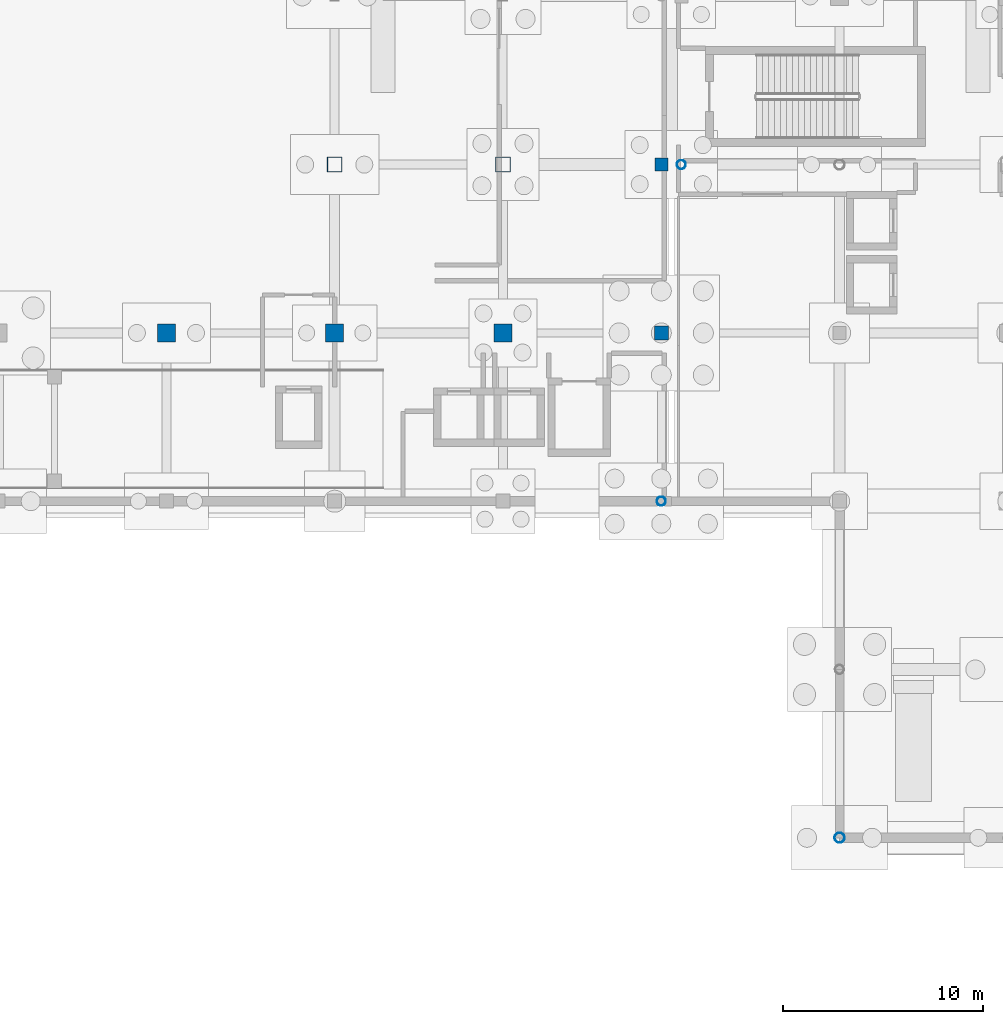
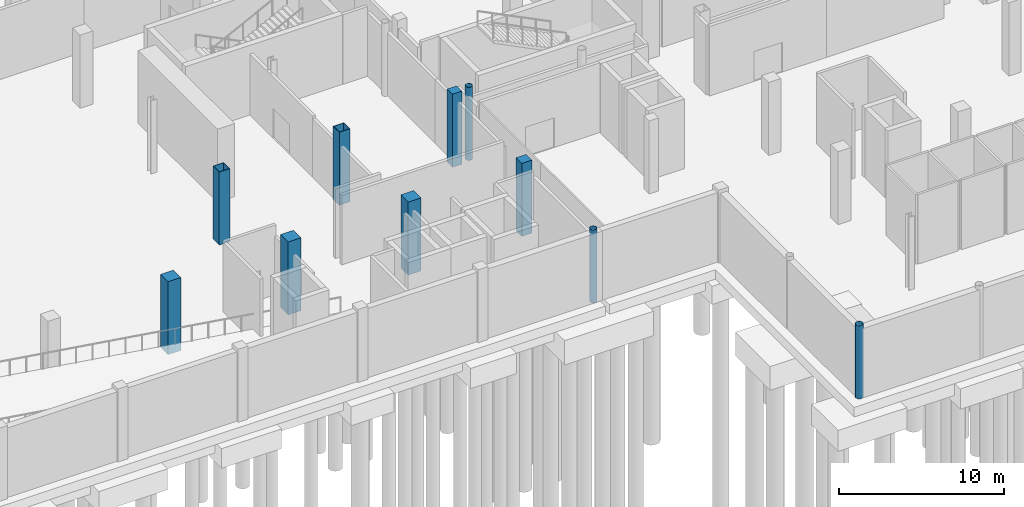
# One storey, part 7 of 49: 10 columns.
"""IFC4 building model written with IfcOpenShell, lengths in metres."""

import ifcopenshell
import ifcopenshell.guid

model = None  # the IFC model being written
_history = None  # IfcOwnerHistory: only IFC2X3 demands one
_inside = {}  # id of a spatial element -> (the spatial element, [elements in it])
_under = {}  # id of a project, library or spatial element -> (it, [spatial elements below it])
_declared = {}  # id of a project -> (the project, [libraries it declares])
_typed = {}  # id of a type object -> (the type object, [elements of that type])
_made_of = {}  # id of a material, layer set ... -> (it, [elements and type objects made of it])


def new_model(schema):
    """Start an empty IFC model of exactly this schema.

    Asked for "IFC4X3", IfcOpenShell would pick the latest addendum, in which some entities
    have other attributes; the version numbers below select the first issue.
    IFC2X3 requires an IfcOwnerHistory on every rooted entity: one is made here for all.
    """
    global model, _history
    if schema == "IFC4X3":
        model = ifcopenshell.file(schema_version=(4, 3, 0, 0))
    else:
        model = ifcopenshell.file(schema=schema)
    _inside.clear()
    _under.clear()
    _declared.clear()
    _typed.clear()
    _made_of.clear()
    _history = None
    if model.schema == "IFC2X3":
        org = make("IfcOrganization", Name="unknown")
        user = make(
            "IfcPersonAndOrganization",
            ThePerson=make("IfcPerson", FamilyName="unknown"),
            TheOrganization=org,
        )
        app = make(
            "IfcApplication",
            ApplicationDeveloper=org,
            Version="unknown",
            ApplicationFullName="unknown",
            ApplicationIdentifier="unknown",
        )
        _history = make(
            "IfcOwnerHistory",
            OwningUser=user,
            OwningApplication=app,
            ChangeAction="ADDED",
            CreationDate=0,
        )
    return model


def make(cls, **values):
    """One entity of the class cls with the attributes given. An attribute that is None is left unset."""
    return model.create_entity(
        cls, **{name: value for name, value in values.items() if value is not None}
    )


def rooted(cls, **values):
    """An entity with a GlobalId (a new one), such as an element, a storey or a relation."""
    return make(cls, GlobalId=ifcopenshell.guid.new(), OwnerHistory=_history, **values)


def si_unit(unit_type, name, prefix=None):
    """IfcSIUnit, for example si_unit("LENGTHUNIT", "METRE", prefix="MILLI")."""
    return make("IfcSIUnit", UnitType=unit_type, Prefix=prefix, Name=name)


def assignment(units):
    """IfcUnitAssignment: the units of a project."""
    return None if units is None else make("IfcUnitAssignment", Units=units)


def point(xyz):
    """IfcCartesianPoint."""
    return None if xyz is None else make("IfcCartesianPoint", Coordinates=xyz)


def direction(xyz):
    """IfcDirection."""
    return None if xyz is None else make("IfcDirection", DirectionRatios=xyz)


def frame(location, z_axis=None, x_axis=None):
    """IfcAxis2Placement3D, a coordinate frame: its origin and axes. An axis left out is left unset."""
    return make(
        "IfcAxis2Placement3D",
        Location=point(location),
        Axis=direction(z_axis),
        RefDirection=direction(x_axis),
    )


def frame_2d(location, x_axis=None):
    """IfcAxis2Placement2D, a coordinate frame in the plane: its origin and x axis."""
    return make(
        "IfcAxis2Placement2D", Location=point(location), RefDirection=direction(x_axis)
    )


def origin():
    """The frame at (0, 0, 0) with its axes left unset."""
    return frame((0.0, 0.0, 0.0))


def origin_2d():
    """The frame at (0, 0) in the plane with its x axis left unset."""
    return frame_2d((0.0, 0.0))


def place(relative_to, where):
    """IfcLocalPlacement: puts the frame where relative to a parent placement (None: the world)."""
    return make(
        "IfcLocalPlacement", PlacementRelTo=relative_to, RelativePlacement=where
    )


def context(
    kind, dimensions, precision=None, world=None, true_north=None, identifier=None
):
    """IfcGeometricRepresentationContext, for example the 3D "Model" context."""
    return make(
        "IfcGeometricRepresentationContext",
        ContextIdentifier=identifier,
        ContextType=kind,
        CoordinateSpaceDimension=dimensions,
        Precision=precision,
        WorldCoordinateSystem=world,
        TrueNorth=true_north,
    )


def subcontext(parent, identifier, kind, view, scale=None):
    """IfcGeometricRepresentationSubContext, for example "Body" below "Model"."""
    return make(
        "IfcGeometricRepresentationSubContext",
        ContextIdentifier=identifier,
        ContextType=kind,
        ParentContext=parent,
        TargetScale=scale,
        TargetView=view,
    )


def project(units=None, contexts=None):
    """IfcProject with its units and contexts."""
    return rooted(
        "IfcProject",
        Name="project",
        RepresentationContexts=contexts,
        UnitsInContext=assignment(units),
    )


def spatial(cls, under=None, at=None, **own):
    """A site, building, storey or space (cls), placed at a placement, below another one or the project."""
    s = rooted(cls, ObjectPlacement=at, **own)
    if under is not None:
        _under.setdefault(under.id(), (under, []))[1].append(s)
    return s


def profile(cls, at=None, kind="AREA", **sizes):
    """A parametric profile (cls). Its sizes go by their IFC names, for example OverallWidth=200.0."""
    return make(cls, ProfileType=kind, Position=at, **sizes)


def rectangle(**sizes):
    """IfcRectangleProfileDef."""
    return profile("IfcRectangleProfileDef", **sizes)


def hollow_rectangle(**sizes):
    """IfcRectangleHollowProfileDef."""
    return profile("IfcRectangleHollowProfileDef", **sizes)


def hollow_circle(**sizes):
    """IfcCircleHollowProfileDef."""
    return profile("IfcCircleHollowProfileDef", **sizes)


def extrude(swept, where, along, depth):
    """IfcExtrudedAreaSolid: the profile swept, set in the frame where, extruded along a direction by depth."""
    return make(
        "IfcExtrudedAreaSolid",
        SweptArea=swept,
        Position=where,
        ExtrudedDirection=direction(along),
        Depth=depth,
    )


def shape(context_of_items, identifier, shape_type, items):
    """IfcShapeRepresentation: the items that make up one representation, for example the "Body"."""
    return make(
        "IfcShapeRepresentation",
        ContextOfItems=context_of_items,
        RepresentationIdentifier=identifier,
        RepresentationType=shape_type,
        Items=items,
    )


def material(Name=None, Category=None):
    """IfcMaterial."""
    return make("IfcMaterial", Name=Name, Category=Category)


def material_profile(
    of_material, cross_section, Name=None, Category=None, Priority=None
):
    """IfcMaterialProfile: a cross section and its material."""
    return make(
        "IfcMaterialProfile",
        Name=Name,
        Material=of_material,
        Profile=cross_section,
        Priority=Priority,
        Category=Category,
    )


def profile_set(profiles, Name=None, composite=None):
    """IfcMaterialProfileSet."""
    return make(
        "IfcMaterialProfileSet",
        Name=Name,
        MaterialProfiles=profiles,
        CompositeProfile=composite,
    )


def made_of(thing, what):
    """Note that an element or type object is made of a material, layer set ...; save() writes the relation."""
    if what is not None:
        _made_of.setdefault(what.id(), (what, []))[1].append(thing)
    return thing


def type_object(cls, material=None, **own):
    """A type object (cls), such as IfcWallType, which elements share."""
    return made_of(rooted(cls, **own), material)


def element(
    cls,
    number,
    at=None,
    inside=None,
    cuts=None,
    type_object=None,
    material=None,
    context=None,
    identifier="Body",
    shape_type=None,
    held_by="IfcProductDefinitionShape",
    body=None,
    shapes=None,
    **own,
):
    """One element of the class cls, such as IfcWall. Its Tag is "e" and its number.

    at: its placement. inside: the storey or other place that contains it. cuts: it is an
    opening in that element (IfcRelVoidsElement). A single representation is given by context,
    identifier, shape_type and body (its items); several are given by shapes. held_by: the class
    of the entity that holds the representations. save() writes the other relations.
    """
    e = rooted(cls, Tag="e%d" % number, ObjectPlacement=at, **own)
    if body is not None:
        shapes = [shape(context, identifier, shape_type, body)]
    if shapes is not None:
        e.Representation = make(held_by, Representations=shapes)
    if inside is not None:
        _inside.setdefault(inside.id(), (inside, []))[1].append(e)
    if cuts is not None:
        rooted(
            "IfcRelVoidsElement", RelatingBuildingElement=cuts, RelatedOpeningElement=e
        )
    if type_object is not None:
        _typed.setdefault(type_object.id(), (type_object, []))[1].append(e)
    return made_of(e, material)


def aggregate(whole, parts):
    """IfcRelAggregates: a whole, such as a stair, and the parts it consists of."""
    return rooted("IfcRelAggregates", RelatingObject=whole, RelatedObjects=parts)


def save(model, path):
    """Write the relations noted so far, then the file.

    IfcRelAggregates (storeys below a building ...), IfcRelContainedInSpatialStructure (elements
    in a storey), IfcRelDefinesByType, IfcRelAssociatesMaterial and IfcRelDeclares: one each for
    every whole, place, type object, material and project.
    """
    for whole, parts in _under.values():
        aggregate(whole, parts)
    for where, things in _inside.values():
        rooted(
            "IfcRelContainedInSpatialStructure",
            RelatedElements=things,
            RelatingStructure=where,
        )
    for kind, things in _typed.values():
        rooted("IfcRelDefinesByType", RelatedObjects=things, RelatingType=kind)
    for what, things in _made_of.values():
        rooted("IfcRelAssociatesMaterial", RelatedObjects=things, RelatingMaterial=what)
    for by, libraries in _declared.values():
        rooted("IfcRelDeclares", RelatingContext=by, RelatedDefinitions=libraries)
    model.write(path)


model = new_model("IFC4")

# Units and contexts
model_context = context("Model", 3, precision=1e-05, world=origin(), true_north=direction((0.0, 1.0)))
body_context = subcontext(model_context, "Body", "Model", "MODEL_VIEW")
ifc_project = project(units=[si_unit("LENGTHUNIT", "METRE"), si_unit("AREAUNIT", "SQUARE_METRE"), si_unit("VOLUMEUNIT", "CUBIC_METRE"), si_unit("PLANEANGLEUNIT", "RADIAN"), si_unit("MASSUNIT", "GRAM", prefix="KILO"), si_unit("THERMODYNAMICTEMPERATUREUNIT", "KELVIN")], contexts=[model_context])

# Site, building, storey
site_placement = place(None, origin())
site = spatial("IfcSite", under=ifc_project, at=site_placement, CompositionType="ELEMENT")
building_placement = place(site_placement, origin())
building = spatial("IfcBuilding", under=site, at=building_placement, Name="Lustrewick Department Store", CompositionType="ELEMENT")
storey_placement = place(building_placement, frame((0.0, 0.0, -5.39990234375)))
storey = spatial("IfcBuildingStorey", under=building, at=storey_placement, Name="B1", CompositionType="ELEMENT", Elevation=-5.39990234375)

# Columns
ifc_material_1 = material(Name="Structural steel Q355C", Category="steel")
ifc_material_profile_1 = material_profile(ifc_material_1, hollow_rectangle(XDim=0.75, YDim=0.75, WallThickness=0.028076171875, at=origin_2d()), Name="BOX 750x750x28")
ifc_profile_set_1 = profile_set([ifc_material_profile_1], Name="Structural steel Q355C")
column_type_1 = type_object("IfcColumnType", Name="C01", PredefinedType="COLUMN", material=ifc_profile_set_1)
for number, where, z_axis, x_axis, name in (
    (1, (42.0, 58.800048828125, 0.0), (0.0, 0.0, 1.0), (1.0, 0.0, 0.0), "B1 V1 Column C01"),
    (2, (50.39990234375, 58.800048828125, 0.0), (0.0, 0.0, 1.0), (1.0, 0.0, 0.0), "B1 V1 Column C01"),
):
    element("IfcColumn", number, at=place(storey_placement, frame(where, z_axis=z_axis, x_axis=x_axis)), inside=storey, type_object=column_type_1, Name=name, PredefinedType="COLUMN", context=body_context, shape_type="SweptSolid", body=[
        extrude(hollow_rectangle(XDim=0.75, YDim=0.75, WallThickness=0.028076171875, at=origin_2d()), origin(), (0.0, 0.0, 1.0), 5.39990234375),
    ])
ifc_material_2 = material(Name="Concrete C50", Category="concrete")
ifc_material_profile_2 = material_profile(ifc_material_2, rectangle(XDim=0.89990234375, YDim=0.89990234375, at=origin_2d()), Name="RC 900x900")
ifc_profile_set_2 = profile_set([ifc_material_profile_2], Name="Concrete C50")
column_type_2 = type_object("IfcColumnType", Name="C17", PredefinedType="COLUMN", material=ifc_profile_set_2)
for number, where, z_axis, x_axis, name in (
    (3, (33.60009765625, 50.39990234375, 0.0), (0.0, 0.0, 1.0), (1.0, 0.0, 0.0), "B1 V1 Column C17"),
    (4, (42.0, 50.39990234375, 0.0), (0.0, 0.0, 1.0), (1.0, 0.0, 0.0), "B1 V1 Column C17"),
    (5, (50.39990234375, 50.39990234375, 0.0), (0.0, 0.0, 1.0), (1.0, 0.0, 0.0), "B1 V1 Column C17"),
):
    element("IfcColumn", number, at=place(storey_placement, frame(where, z_axis=z_axis, x_axis=x_axis)), inside=storey, type_object=column_type_2, Name=name, PredefinedType="COLUMN", context=body_context, shape_type="SweptSolid", body=[
        extrude(rectangle(XDim=0.89990234375, YDim=0.89990234375, at=origin_2d()), origin(), (0.0, 0.0, 1.0), 5.39990234375),
    ])
ifc_material_profile_3 = material_profile(ifc_material_1, hollow_circle(Radius=0.25390625, WallThickness=0.01611328125, at=origin_2d()), Name="CHS 508x16")
ifc_profile_set_3 = profile_set([ifc_material_profile_3], Name="Structural steel Q355C")
column_type_3 = type_object("IfcColumnType", Name="CE01", PredefinedType="COLUMN", material=ifc_profile_set_3)
column_1_placement = place(storey_placement, frame((67.199951171875, 25.199951171875, 0.0), z_axis=(0.0, 0.0, 1.0), x_axis=(1.0, 0.0, 0.0)))
element("IfcColumn", 6, at=column_1_placement, inside=storey, type_object=column_type_3, Name="B1 V2 Column CE01", PredefinedType="COLUMN", context=body_context, shape_type="SweptSolid", body=[
    extrude(hollow_circle(Radius=0.25390625, WallThickness=0.01611328125, at=origin_2d()), origin(), (0.0, 0.0, 1.0), 5.39990234375),
])
ifc_material_profile_4 = material_profile(ifc_material_1, hollow_circle(Radius=0.228515625, WallThickness=0.01611328125, at=origin_2d()), Name="CHS 457x16")
ifc_profile_set_4 = profile_set([ifc_material_profile_4], Name="Structural steel Q355C")
column_type_4 = type_object("IfcColumnType", Name="CE02", PredefinedType="COLUMN", material=ifc_profile_set_4)
for number, where, z_axis, x_axis, name in (
    (7, (58.300048828125, 42.0, 0.0), (0.0, 0.0, 1.0), (1.0, 0.0, 0.0), "B1 V1 Column CE02"),
    (8, (59.300048828125, 58.800048828125, 0.0), (0.0, 0.0, 1.0), (1.0, 0.0, 0.0), "B1 V2 Column CE02"),
):
    element("IfcColumn", number, at=place(storey_placement, frame(where, z_axis=z_axis, x_axis=x_axis)), inside=storey, type_object=column_type_4, Name=name, PredefinedType="COLUMN", context=body_context, shape_type="SweptSolid", body=[
        extrude(hollow_circle(Radius=0.228515625, WallThickness=0.01611328125, at=origin_2d()), origin(), (0.0, 0.0, 1.0), 5.39990234375),
    ])
ifc_material_3 = material(Name="Concrete C40", Category="concrete")
ifc_material_profile_5 = material_profile(ifc_material_3, rectangle(XDim=0.699951171875, YDim=0.699951171875, at=origin_2d()), Name="RC 700x700")
ifc_profile_set_5 = profile_set([ifc_material_profile_5], Name="Concrete C40")
column_type_5 = type_object("IfcColumnType", Name="CE06", PredefinedType="COLUMN", material=ifc_profile_set_5)
column_2_placement = place(storey_placement, frame((58.300048828125, 50.39990234375, 0.0), z_axis=(0.0, 0.0, 1.0), x_axis=(1.0, 0.0, 0.0)))
element("IfcColumn", 9, at=column_2_placement, inside=storey, type_object=column_type_5, Name="B1 V1 Column CE06", PredefinedType="COLUMN", context=body_context, shape_type="SweptSolid", body=[
    extrude(rectangle(XDim=0.699951171875, YDim=0.699951171875, at=origin_2d()), origin(), (0.0, 0.0, 1.0), 5.39990234375),
])
ifc_material_profile_6 = material_profile(ifc_material_3, rectangle(XDim=0.64990234375, YDim=0.64990234375, at=origin_2d()), Name="RC 650x650")
ifc_profile_set_6 = profile_set([ifc_material_profile_6], Name="Concrete C40")
column_type_6 = type_object("IfcColumnType", Name="CE07", PredefinedType="COLUMN", material=ifc_profile_set_6)
column_3_placement = place(storey_placement, frame((58.300048828125, 58.800048828125, 0.0), z_axis=(0.0, 0.0, 1.0), x_axis=(1.0, 0.0, 0.0)))
element("IfcColumn", 10, at=column_3_placement, inside=storey, type_object=column_type_6, Name="B1 V1 Column CE07", PredefinedType="COLUMN", context=body_context, shape_type="SweptSolid", body=[
    extrude(rectangle(XDim=0.64990234375, YDim=0.64990234375, at=origin_2d()), origin(), (0.0, 0.0, 1.0), 5.39990234375),
])

save(model, "model.ifc")
